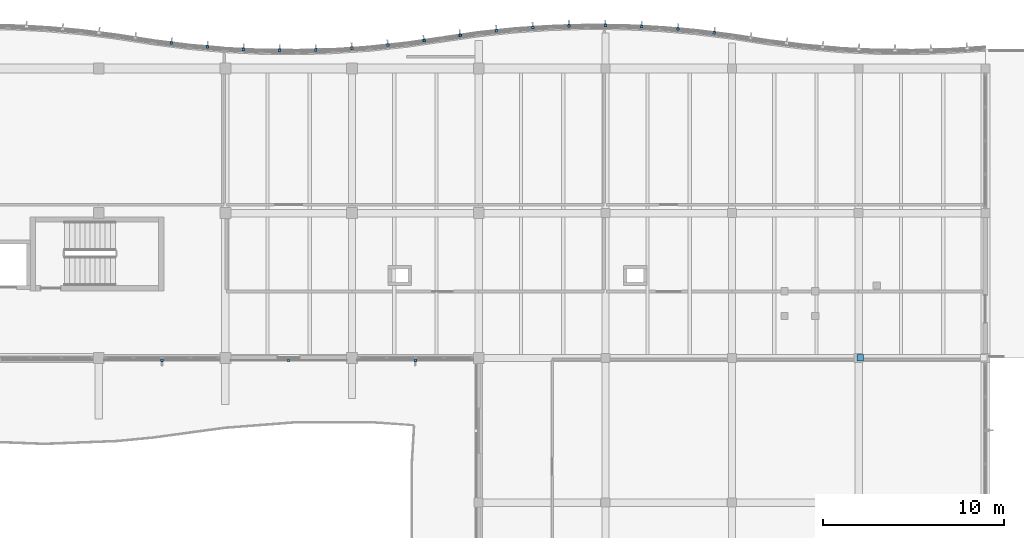
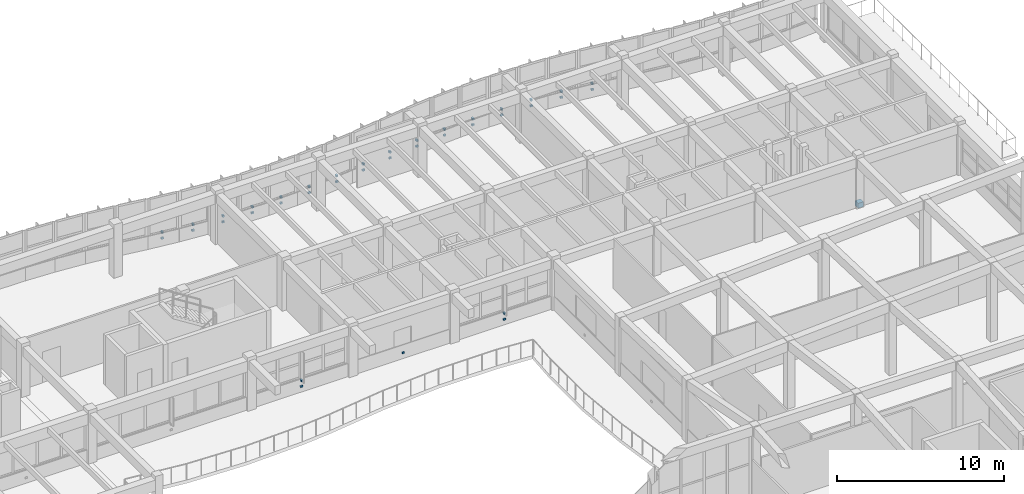
# One storey, part 75 of 89: 38 discrete accessories.
"""IFC4 building model written with IfcOpenShell, lengths in metres."""

from ifc_helpers import new_model, si_unit, direction, frame, origin, origin_2d, place, context, subcontext, project, spatial, rectangle, extrude, material, type_object, element, save


model = new_model("IFC4")

# Units and contexts
model_context = context("Model", 3, precision=1e-05, world=origin(), true_north=direction((0.0, 1.0)))
body_context = subcontext(model_context, "Body", "Model", "MODEL_VIEW")
ifc_project = project(units=[si_unit("LENGTHUNIT", "METRE"), si_unit("AREAUNIT", "SQUARE_METRE"), si_unit("VOLUMEUNIT", "CUBIC_METRE"), si_unit("PLANEANGLEUNIT", "RADIAN"), si_unit("MASSUNIT", "GRAM", prefix="KILO")], contexts=[model_context])

# Site, building, storey
site_placement = place(None, origin())
site = spatial("IfcSite", under=ifc_project, at=site_placement, CompositionType="ELEMENT")
building_placement = place(site_placement, origin())
building = spatial("IfcBuilding", under=site, at=building_placement, Name="Tonlespit Floodbar School", CompositionType="ELEMENT")
storey_placement = place(building_placement, frame((0.0, 0.0, 4.5)))
storey = spatial("IfcBuildingStorey", under=building, at=storey_placement, Name="L01", CompositionType="ELEMENT", Elevation=4.5)

# Discrete accessories
ifc_material_1 = material(Name="Galvanised Steel", Category="steel")
discrete_accessory_type_1 = type_object("IfcDiscreteAccessoryType", Name="Bracket_Facade_S355", PredefinedType="BRACKET", material=ifc_material_1)
discrete_accessory_1_placement = place(storey_placement, frame((131.016357421875, 121.397216796875, 0.35498046875), z_axis=(0.0, 0.0, 1.0), x_axis=(0.99215533612, -0.125011155539, 0.0)))
element("IfcDiscreteAccessory", 1, at=discrete_accessory_1_placement, inside=storey, type_object=discrete_accessory_type_1, Name="L01 white band support bracket 0634", PredefinedType="BRACKET", context=body_context, shape_type="SweptSolid", body=[
    extrude(rectangle(XDim=0.159912109375, YDim=0.1201171875, at=origin_2d()), origin(), (0.0, 0.0, 1.0), 0.1201171875),
])
discrete_accessory_2_placement = place(storey_placement, frame((131.017578125, 121.4072265625, 0.7802734375), z_axis=(0.0, 0.0, 1.0), x_axis=(0.99215533612, -0.125011155539, 0.0)))
element("IfcDiscreteAccessory", 2, at=discrete_accessory_2_placement, inside=storey, type_object=discrete_accessory_type_1, Name="Solar fin support bracket 237", PredefinedType="BRACKET", context=body_context, shape_type="SweptSolid", body=[
    extrude(rectangle(XDim=0.1201171875, YDim=0.179931640625, at=origin_2d()), origin(), (0.0, 0.0, 1.0), 0.139892578125),
])
discrete_accessory_3_placement = place(storey_placement, frame((133.01123046875, 121.184814453125, 0.35498046875), z_axis=(0.0, 0.0, 1.0), x_axis=(0.996245486492, -0.086573267488, 0.0)))
element("IfcDiscreteAccessory", 3, at=discrete_accessory_3_placement, inside=storey, type_object=discrete_accessory_type_1, Name="L01 white band support bracket 0635", PredefinedType="BRACKET", context=body_context, shape_type="SweptSolid", body=[
    extrude(rectangle(XDim=0.159912109375, YDim=0.1201171875, at=origin_2d()), origin(), (0.0, 0.0, 1.0), 0.1201171875),
])
discrete_accessory_4_placement = place(storey_placement, frame((133.01220703125, 121.19482421875, 0.7802734375), z_axis=(0.0, 0.0, 1.0), x_axis=(0.996245486492, -0.086573267488, 0.0)))
element("IfcDiscreteAccessory", 4, at=discrete_accessory_4_placement, inside=storey, type_object=discrete_accessory_type_1, Name="Solar fin support bracket 238", PredefinedType="BRACKET", context=body_context, shape_type="SweptSolid", body=[
    extrude(rectangle(XDim=0.1201171875, YDim=0.179931640625, at=origin_2d()), origin(), (0.0, 0.0, 1.0), 0.139892578125),
])
discrete_accessory_5_placement = place(storey_placement, frame((135.00634765625, 121.05029296875, 0.35498046875), z_axis=(0.0, 0.0, 1.0), x_axis=(0.998842769234, -0.048094930587, 0.0)))
element("IfcDiscreteAccessory", 5, at=discrete_accessory_5_placement, inside=storey, type_object=discrete_accessory_type_1, Name="L01 white band support bracket 0636", PredefinedType="BRACKET", context=body_context, shape_type="SweptSolid", body=[
    extrude(rectangle(XDim=0.159912109375, YDim=0.1201171875, at=origin_2d()), origin(), (0.0, 0.0, 1.0), 0.1201171875),
])
discrete_accessory_6_placement = place(storey_placement, frame((135.006591796875, 121.060302734375, 0.7802734375), z_axis=(0.0, 0.0, 1.0), x_axis=(0.998842769234, -0.048094930587, 0.0)))
element("IfcDiscreteAccessory", 6, at=discrete_accessory_6_placement, inside=storey, type_object=discrete_accessory_type_1, Name="Solar fin support bracket 239", PredefinedType="BRACKET", context=body_context, shape_type="SweptSolid", body=[
    extrude(rectangle(XDim=0.1201171875, YDim=0.179931640625, at=origin_2d()), origin(), (0.0, 0.0, 1.0), 0.139892578125),
])
discrete_accessory_7_placement = place(storey_placement, frame((137.001220703125, 120.99267578125, 0.35498046875), z_axis=(0.0, 0.0, 1.0), x_axis=(0.999953926969, -0.009599163462, 0.0)))
element("IfcDiscreteAccessory", 7, at=discrete_accessory_7_placement, inside=storey, type_object=discrete_accessory_type_1, Name="L01 white band support bracket 0637", PredefinedType="BRACKET", context=body_context, shape_type="SweptSolid", body=[
    extrude(rectangle(XDim=0.159912109375, YDim=0.1201171875, at=origin_2d()), origin(), (0.0, 0.0, 1.0), 0.1201171875),
])
discrete_accessory_8_placement = place(storey_placement, frame((137.001220703125, 121.002685546875, 0.7802734375), z_axis=(0.0, 0.0, 1.0), x_axis=(0.999953926969, -0.009599163462, 0.0)))
element("IfcDiscreteAccessory", 8, at=discrete_accessory_8_placement, inside=storey, type_object=discrete_accessory_type_1, Name="Solar fin support bracket 240", PredefinedType="BRACKET", context=body_context, shape_type="SweptSolid", body=[
    extrude(rectangle(XDim=0.1201171875, YDim=0.179931640625, at=origin_2d()), origin(), (0.0, 0.0, 1.0), 0.139892578125),
])
discrete_accessory_9_placement = place(storey_placement, frame((138.996337890625, 121.01171875, 0.35498046875), z_axis=(0.0, 0.0, 1.0), x_axis=(0.999584110869, 0.02883756748, 0.0)))
element("IfcDiscreteAccessory", 9, at=discrete_accessory_9_placement, inside=storey, type_object=discrete_accessory_type_1, Name="L01 white band support bracket 0638", PredefinedType="BRACKET", context=body_context, shape_type="SweptSolid", body=[
    extrude(rectangle(XDim=0.159912109375, YDim=0.1201171875, at=origin_2d()), origin(), (0.0, 0.0, 1.0), 0.1201171875),
])
discrete_accessory_10_placement = place(storey_placement, frame((138.99609375, 121.021728515625, 0.7802734375), z_axis=(0.0, 0.0, 1.0), x_axis=(0.999584110869, 0.02883756748, 0.0)))
element("IfcDiscreteAccessory", 10, at=discrete_accessory_10_placement, inside=storey, type_object=discrete_accessory_type_1, Name="Solar fin support bracket 241", PredefinedType="BRACKET", context=body_context, shape_type="SweptSolid", body=[
    extrude(rectangle(XDim=0.1201171875, YDim=0.179931640625, at=origin_2d()), origin(), (0.0, 0.0, 1.0), 0.139892578125),
])
discrete_accessory_11_placement = place(storey_placement, frame((140.9912109375, 121.10791015625, 0.35498046875), z_axis=(0.0, 0.0, 1.0), x_axis=(0.997729639049, 0.067346621018, 0.0)))
element("IfcDiscreteAccessory", 11, at=discrete_accessory_11_placement, inside=storey, type_object=discrete_accessory_type_1, Name="L01 white band support bracket 0639", PredefinedType="BRACKET", context=body_context, shape_type="SweptSolid", body=[
    extrude(rectangle(XDim=0.159912109375, YDim=0.1201171875, at=origin_2d()), origin(), (0.0, 0.0, 1.0), 0.1201171875),
])
discrete_accessory_12_placement = place(storey_placement, frame((140.990478515625, 121.117919921875, 0.7802734375), z_axis=(0.0, 0.0, 1.0), x_axis=(0.997729639049, 0.067346621018, 0.0)))
element("IfcDiscreteAccessory", 12, at=discrete_accessory_12_placement, inside=storey, type_object=discrete_accessory_type_1, Name="Solar fin support bracket 242", PredefinedType="BRACKET", context=body_context, shape_type="SweptSolid", body=[
    extrude(rectangle(XDim=0.1201171875, YDim=0.179931640625, at=origin_2d()), origin(), (0.0, 0.0, 1.0), 0.139892578125),
])
discrete_accessory_13_placement = place(storey_placement, frame((142.986328125, 121.28125, 0.35498046875), z_axis=(0.0, 0.0, 1.0), x_axis=(0.99439234017, 0.105753835922, 0.0)))
element("IfcDiscreteAccessory", 13, at=discrete_accessory_13_placement, inside=storey, type_object=discrete_accessory_type_1, Name="L01 white band support bracket 0640", PredefinedType="BRACKET", context=body_context, shape_type="SweptSolid", body=[
    extrude(rectangle(XDim=0.159912109375, YDim=0.1201171875, at=origin_2d()), origin(), (0.0, 0.0, 1.0), 0.1201171875),
])
discrete_accessory_14_placement = place(storey_placement, frame((142.985107421875, 121.291259765625, 0.7802734375), z_axis=(0.0, 0.0, 1.0), x_axis=(0.99439234017, 0.105753835922, 0.0)))
element("IfcDiscreteAccessory", 14, at=discrete_accessory_14_placement, inside=storey, type_object=discrete_accessory_type_1, Name="Solar fin support bracket 243", PredefinedType="BRACKET", context=body_context, shape_type="SweptSolid", body=[
    extrude(rectangle(XDim=0.1201171875, YDim=0.179931640625, at=origin_2d()), origin(), (0.0, 0.0, 1.0), 0.139892578125),
])
discrete_accessory_15_placement = place(storey_placement, frame((144.981201171875, 121.53271484375, 0.35498046875), z_axis=(0.0, 0.0, 1.0), x_axis=(0.989537627347, 0.144275029245, 0.0)))
element("IfcDiscreteAccessory", 15, at=discrete_accessory_15_placement, inside=storey, type_object=discrete_accessory_type_1, Name="L01 white band support bracket 0641", PredefinedType="BRACKET", context=body_context, shape_type="SweptSolid", body=[
    extrude(rectangle(XDim=0.159912109375, YDim=0.1201171875, at=origin_2d()), origin(), (0.0, 0.0, 1.0), 0.1201171875),
])
discrete_accessory_16_placement = place(storey_placement, frame((144.979736328125, 121.542724609375, 0.7802734375), z_axis=(0.0, 0.0, 1.0), x_axis=(0.989537627347, 0.144275029245, 0.0)))
element("IfcDiscreteAccessory", 16, at=discrete_accessory_16_placement, inside=storey, type_object=discrete_accessory_type_1, Name="Solar fin support bracket 244", PredefinedType="BRACKET", context=body_context, shape_type="SweptSolid", body=[
    extrude(rectangle(XDim=0.1201171875, YDim=0.179931640625, at=origin_2d()), origin(), (0.0, 0.0, 1.0), 0.139892578125),
])
discrete_accessory_17_placement = place(storey_placement, frame((146.981201171875, 121.824462890625, 0.35498046875), z_axis=(0.0, 0.0, 1.0), x_axis=(0.989537627347, 0.144275029245, 0.0)))
element("IfcDiscreteAccessory", 17, at=discrete_accessory_17_placement, inside=storey, type_object=discrete_accessory_type_1, Name="L01 white band support bracket 0642", PredefinedType="BRACKET", context=body_context, shape_type="SweptSolid", body=[
    extrude(rectangle(XDim=0.159912109375, YDim=0.1201171875, at=origin_2d()), origin(), (0.0, 0.0, 1.0), 0.1201171875),
])
discrete_accessory_18_placement = place(storey_placement, frame((146.979736328125, 121.834228515625, 0.7802734375), z_axis=(0.0, 0.0, 1.0), x_axis=(0.989537627347, 0.144275029245, 0.0)))
element("IfcDiscreteAccessory", 18, at=discrete_accessory_18_placement, inside=storey, type_object=discrete_accessory_type_1, Name="Solar fin support bracket 245", PredefinedType="BRACKET", context=body_context, shape_type="SweptSolid", body=[
    extrude(rectangle(XDim=0.1201171875, YDim=0.179931640625, at=origin_2d()), origin(), (0.0, 0.0, 1.0), 0.139892578125),
])
discrete_accessory_19_placement = place(storey_placement, frame((148.986328125, 122.0771484375, 0.35498046875), z_axis=(0.0, 0.0, 1.0), x_axis=(0.99439234017, 0.105753835922, 0.0)))
element("IfcDiscreteAccessory", 19, at=discrete_accessory_19_placement, inside=storey, type_object=discrete_accessory_type_1, Name="L01 white band support bracket 0643", PredefinedType="BRACKET", context=body_context, shape_type="SweptSolid", body=[
    extrude(rectangle(XDim=0.159912109375, YDim=0.1201171875, at=origin_2d()), origin(), (0.0, 0.0, 1.0), 0.1201171875),
])
discrete_accessory_20_placement = place(storey_placement, frame((148.985107421875, 122.087158203125, 0.7802734375), z_axis=(0.0, 0.0, 1.0), x_axis=(0.99439234017, 0.105753835922, 0.0)))
element("IfcDiscreteAccessory", 20, at=discrete_accessory_20_placement, inside=storey, type_object=discrete_accessory_type_1, Name="Solar fin support bracket 246", PredefinedType="BRACKET", context=body_context, shape_type="SweptSolid", body=[
    extrude(rectangle(XDim=0.1201171875, YDim=0.179931640625, at=origin_2d()), origin(), (0.0, 0.0, 1.0), 0.139892578125),
])
discrete_accessory_21_placement = place(storey_placement, frame((150.9912109375, 122.25146484375, 0.35498046875), z_axis=(0.0, 0.0, 1.0), x_axis=(0.997729639049, 0.067346621018, 0.0)))
element("IfcDiscreteAccessory", 21, at=discrete_accessory_21_placement, inside=storey, type_object=discrete_accessory_type_1, Name="L01 white band support bracket 0644", PredefinedType="BRACKET", context=body_context, shape_type="SweptSolid", body=[
    extrude(rectangle(XDim=0.159912109375, YDim=0.1201171875, at=origin_2d()), origin(), (0.0, 0.0, 1.0), 0.1201171875),
])
discrete_accessory_22_placement = place(storey_placement, frame((150.990478515625, 122.261474609375, 0.7802734375), z_axis=(0.0, 0.0, 1.0), x_axis=(0.997729639049, 0.067346621018, 0.0)))
element("IfcDiscreteAccessory", 22, at=discrete_accessory_22_placement, inside=storey, type_object=discrete_accessory_type_1, Name="Solar fin support bracket 247", PredefinedType="BRACKET", context=body_context, shape_type="SweptSolid", body=[
    extrude(rectangle(XDim=0.1201171875, YDim=0.179931640625, at=origin_2d()), origin(), (0.0, 0.0, 1.0), 0.139892578125),
])
discrete_accessory_23_placement = place(storey_placement, frame((152.996337890625, 122.34814453125, 0.35498046875), z_axis=(0.0, 0.0, 1.0), x_axis=(0.999584110869, 0.02883756748, 0.0)))
element("IfcDiscreteAccessory", 23, at=discrete_accessory_23_placement, inside=storey, type_object=discrete_accessory_type_1, Name="L01 white band support bracket 0645", PredefinedType="BRACKET", context=body_context, shape_type="SweptSolid", body=[
    extrude(rectangle(XDim=0.159912109375, YDim=0.1201171875, at=origin_2d()), origin(), (0.0, 0.0, 1.0), 0.1201171875),
])
discrete_accessory_24_placement = place(storey_placement, frame((152.99609375, 122.358154296875, 0.7802734375), z_axis=(0.0, 0.0, 1.0), x_axis=(0.999584110869, 0.02883756748, 0.0)))
element("IfcDiscreteAccessory", 24, at=discrete_accessory_24_placement, inside=storey, type_object=discrete_accessory_type_1, Name="Solar fin support bracket 248", PredefinedType="BRACKET", context=body_context, shape_type="SweptSolid", body=[
    extrude(rectangle(XDim=0.1201171875, YDim=0.179931640625, at=origin_2d()), origin(), (0.0, 0.0, 1.0), 0.139892578125),
])
discrete_accessory_25_placement = place(storey_placement, frame((155.001220703125, 122.367431640625, 0.35498046875), z_axis=(0.0, 0.0, 1.0), x_axis=(0.999953926969, -0.009599163462, 0.0)))
element("IfcDiscreteAccessory", 25, at=discrete_accessory_25_placement, inside=storey, type_object=discrete_accessory_type_1, Name="L01 white band support bracket 0646", PredefinedType="BRACKET", context=body_context, shape_type="SweptSolid", body=[
    extrude(rectangle(XDim=0.159912109375, YDim=0.1201171875, at=origin_2d()), origin(), (0.0, 0.0, 1.0), 0.1201171875),
])
discrete_accessory_26_placement = place(storey_placement, frame((155.001220703125, 122.37744140625, 0.7802734375), z_axis=(0.0, 0.0, 1.0), x_axis=(0.999953926969, -0.009599163462, 0.0)))
element("IfcDiscreteAccessory", 26, at=discrete_accessory_26_placement, inside=storey, type_object=discrete_accessory_type_1, Name="Solar fin support bracket 249", PredefinedType="BRACKET", context=body_context, shape_type="SweptSolid", body=[
    extrude(rectangle(XDim=0.1201171875, YDim=0.179931640625, at=origin_2d()), origin(), (0.0, 0.0, 1.0), 0.139892578125),
])
discrete_accessory_27_placement = place(storey_placement, frame((157.00634765625, 122.3095703125, 0.35498046875), z_axis=(0.0, 0.0, 1.0), x_axis=(0.998842769234, -0.048094930587, 0.0)))
element("IfcDiscreteAccessory", 27, at=discrete_accessory_27_placement, inside=storey, type_object=discrete_accessory_type_1, Name="L01 white band support bracket 0647", PredefinedType="BRACKET", context=body_context, shape_type="SweptSolid", body=[
    extrude(rectangle(XDim=0.159912109375, YDim=0.1201171875, at=origin_2d()), origin(), (0.0, 0.0, 1.0), 0.1201171875),
])
discrete_accessory_28_placement = place(storey_placement, frame((157.006591796875, 122.319580078125, 0.7802734375), z_axis=(0.0, 0.0, 1.0), x_axis=(0.998842769234, -0.048094930587, 0.0)))
element("IfcDiscreteAccessory", 28, at=discrete_accessory_28_placement, inside=storey, type_object=discrete_accessory_type_1, Name="Solar fin support bracket 250", PredefinedType="BRACKET", context=body_context, shape_type="SweptSolid", body=[
    extrude(rectangle(XDim=0.1201171875, YDim=0.179931640625, at=origin_2d()), origin(), (0.0, 0.0, 1.0), 0.139892578125),
])
discrete_accessory_29_placement = place(storey_placement, frame((159.01123046875, 122.174072265625, 0.35498046875), z_axis=(0.0, 0.0, 1.0), x_axis=(0.996245486492, -0.086573267488, 0.0)))
element("IfcDiscreteAccessory", 29, at=discrete_accessory_29_placement, inside=storey, type_object=discrete_accessory_type_1, Name="L01 white band support bracket 0648", PredefinedType="BRACKET", context=body_context, shape_type="SweptSolid", body=[
    extrude(rectangle(XDim=0.159912109375, YDim=0.1201171875, at=origin_2d()), origin(), (0.0, 0.0, 1.0), 0.1201171875),
])
discrete_accessory_30_placement = place(storey_placement, frame((159.01220703125, 122.18408203125, 0.7802734375), z_axis=(0.0, 0.0, 1.0), x_axis=(0.996245486492, -0.086573267488, 0.0)))
element("IfcDiscreteAccessory", 30, at=discrete_accessory_30_placement, inside=storey, type_object=discrete_accessory_type_1, Name="Solar fin support bracket 251", PredefinedType="BRACKET", context=body_context, shape_type="SweptSolid", body=[
    extrude(rectangle(XDim=0.1201171875, YDim=0.179931640625, at=origin_2d()), origin(), (0.0, 0.0, 1.0), 0.139892578125),
])
discrete_accessory_31_placement = place(storey_placement, frame((161.016357421875, 121.960693359375, 0.35498046875), z_axis=(0.0, 0.0, 1.0), x_axis=(0.99215533612, -0.125011155539, 0.0)))
element("IfcDiscreteAccessory", 31, at=discrete_accessory_31_placement, inside=storey, type_object=discrete_accessory_type_1, Name="L01 white band support bracket 0649", PredefinedType="BRACKET", context=body_context, shape_type="SweptSolid", body=[
    extrude(rectangle(XDim=0.159912109375, YDim=0.1201171875, at=origin_2d()), origin(), (0.0, 0.0, 1.0), 0.1201171875),
])
discrete_accessory_32_placement = place(storey_placement, frame((161.017578125, 121.970703125, 0.7802734375), z_axis=(0.0, 0.0, 1.0), x_axis=(0.99215533612, -0.125011155539, 0.0)))
element("IfcDiscreteAccessory", 32, at=discrete_accessory_32_placement, inside=storey, type_object=discrete_accessory_type_1, Name="Solar fin support bracket 252", PredefinedType="BRACKET", context=body_context, shape_type="SweptSolid", body=[
    extrude(rectangle(XDim=0.1201171875, YDim=0.179931640625, at=origin_2d()), origin(), (0.0, 0.0, 1.0), 0.139892578125),
])
discrete_accessory_33_placement = place(storey_placement, frame((144.5, 103.8701171875, 0.35498046875), z_axis=(0.0, 0.0, 1.0), x_axis=(-1.0, 0.0, 0.0)))
element("IfcDiscreteAccessory", 33, at=discrete_accessory_33_placement, inside=storey, type_object=discrete_accessory_type_1, Name="L01 white band support bracket 0657", PredefinedType="BRACKET", context=body_context, shape_type="SweptSolid", body=[
    extrude(rectangle(XDim=0.159912109375, YDim=0.1201171875, at=origin_2d()), origin(), (0.0, 0.0, 1.0), 0.1201171875),
])
discrete_accessory_34_placement = place(storey_placement, frame((144.5, 103.860107421875, 0.7802734375), z_axis=(0.0, 0.0, 1.0), x_axis=(-1.0, 0.0, 0.0)))
element("IfcDiscreteAccessory", 34, at=discrete_accessory_34_placement, inside=storey, type_object=discrete_accessory_type_1, Name="Solar fin support bracket 260", PredefinedType="BRACKET", context=body_context, shape_type="SweptSolid", body=[
    extrude(rectangle(XDim=0.1201171875, YDim=0.179931640625, at=origin_2d()), origin(), (0.0, 0.0, 1.0), 0.139892578125),
])
for number, where, z_axis, x_axis, name in (
    (35, (137.5, 103.85009765625, 0.3798828125), (0.0, 0.0, 1.0), (-1.0, 0.0, 0.0), "L01 white band support bracket 0658"),
    (36, (130.5, 103.8701171875, 0.35498046875), (0.0, 0.0, 1.0), (-1.0, 0.0, 0.0), "L01 white band support bracket 0659"),
):
    element("IfcDiscreteAccessory", number, at=place(storey_placement, frame(where, z_axis=z_axis, x_axis=x_axis)), inside=storey, type_object=discrete_accessory_type_1, Name=name, PredefinedType="BRACKET", context=body_context, shape_type="SweptSolid", body=[
        extrude(rectangle(XDim=0.159912109375, YDim=0.1201171875, at=origin_2d()), origin(), (0.0, 0.0, 1.0), 0.1201171875),
    ])
discrete_accessory_35_placement = place(storey_placement, frame((130.5, 103.860107421875, 0.7802734375), z_axis=(0.0, 0.0, 1.0), x_axis=(-1.0, 0.0, 0.0)))
element("IfcDiscreteAccessory", 37, at=discrete_accessory_35_placement, inside=storey, type_object=discrete_accessory_type_1, Name="Solar fin support bracket 261", PredefinedType="BRACKET", context=body_context, shape_type="SweptSolid", body=[
    extrude(rectangle(XDim=0.1201171875, YDim=0.179931640625, at=origin_2d()), origin(), (0.0, 0.0, 1.0), 0.139892578125),
])
ifc_material_2 = material(Name="Steel S355", Category="steel")
discrete_accessory_type_2 = type_object("IfcDiscreteAccessoryType", Name="GussetShoe_Brace_S355", PredefinedType="SHOE", material=ifc_material_2)
discrete_accessory_36_placement = place(storey_placement, frame((169.080078125, 104.0, -0.0302734375), z_axis=(0.0, 0.0, 1.0), x_axis=(1.0, 0.0, 0.0)))
element("IfcDiscreteAccessory", 38, at=discrete_accessory_36_placement, inside=storey, type_object=discrete_accessory_type_2, Name="L01 brace and chord end gusset shoe 0041", PredefinedType="SHOE", context=body_context, shape_type="SweptSolid", body=[
    extrude(rectangle(XDim=0.360107421875, YDim=0.360107421875, at=origin_2d()), origin(), (0.0, 0.0, 1.0), 0.360107421875),
])

save(model, "model.ifc")
